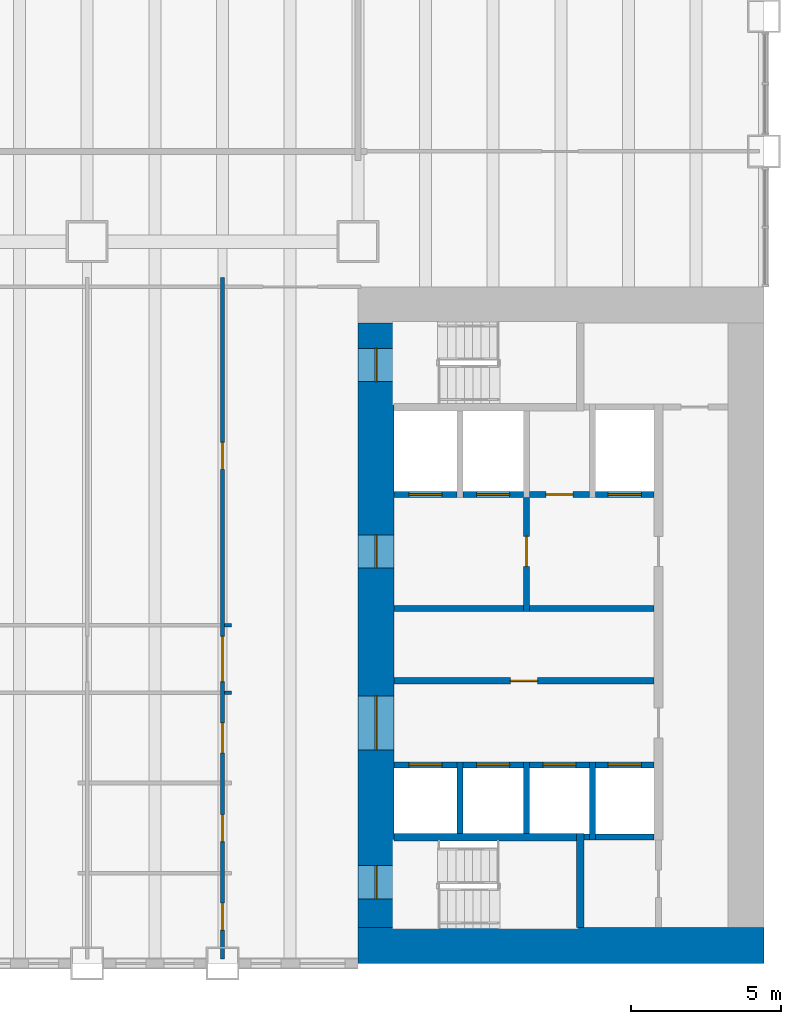
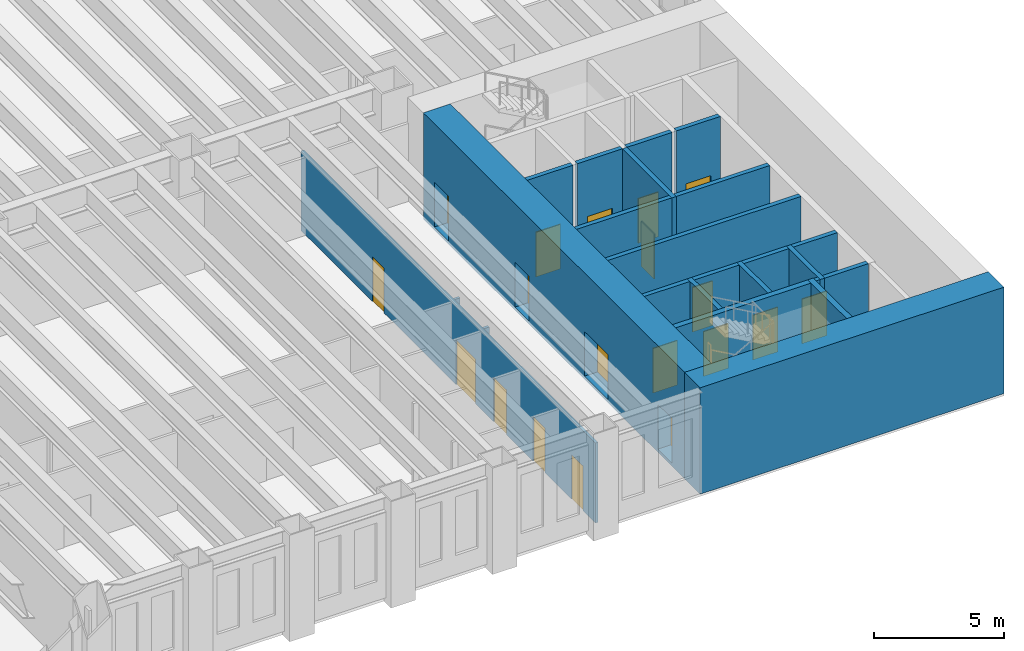
# One storey, part 10 of 19: 24 walls, 19 doors, 19 openings.
"""IFC4 building model written with IfcOpenShell, lengths in metres."""

from ifc_helpers import new_model, si_unit, direction, frame, frame_2d, origin, place, context, subcontext, project, spatial, rectangle, extrude, material, layer, layer_set, type_object, element, fill, save


model = new_model("IFC4")

# Units and contexts
model_context = context("Model", 3, precision=1e-05, world=origin(), true_north=direction((0.0, 1.0)))
body_context = subcontext(model_context, "Body", "Model", "MODEL_VIEW")
ifc_project = project(units=[si_unit("LENGTHUNIT", "METRE"), si_unit("AREAUNIT", "SQUARE_METRE"), si_unit("VOLUMEUNIT", "CUBIC_METRE"), si_unit("PLANEANGLEUNIT", "RADIAN"), si_unit("MASSUNIT", "GRAM", prefix="KILO")], contexts=[model_context])

# Site, building, storey
site_placement = place(None, origin())
site = spatial("IfcSite", under=ifc_project, at=site_placement, CompositionType="ELEMENT")
building_placement = place(site_placement, origin())
building = spatial("IfcBuilding", under=site, at=building_placement, Name="Sennacour Bend Tower", CompositionType="ELEMENT")
storey_placement = place(building_placement, frame((0.0, 0.0, 14.0)))
storey = spatial("IfcBuildingStorey", under=building, at=storey_placement, Name="L02", CompositionType="ELEMENT", Elevation=14.0)

# Wall
ifc_material_1 = material(Name="Concrete C80/95", Category="concrete")
ifc_layer_1 = layer(ifc_material_1, 1.199951171875, Name="Concrete C80/95", Category="concrete")
ifc_layer_set_1 = layer_set([ifc_layer_1], Name="Concrete C80/95")
wall_type_1 = type_object("IfcWallType", Name="Core wall 1200 C80/95", PredefinedType="SHEAR", material=ifc_layer_set_1)
wall_1_placement = place(storey_placement, frame((67.5, 0.60009765625, -0.14990234375), z_axis=(0.0, 0.0, 1.0), x_axis=(-1.0, 0.0, 0.0)))
element("IfcWall", 1, at=wall_1_placement, inside=storey, type_object=wall_type_1, Name="Core A wall L02 S", PredefinedType="SHEAR", context=body_context, shape_type="SweptSolid", body=[
    extrude(rectangle(XDim=13.5, YDim=1.199951171875, at=frame_2d((6.75, 0.0))), origin(), (0.0, 0.0, 1.0), 5.0),
])

# Wall, openings, doors
wall_2_placement = place(storey_placement, frame((54.60009765625, 1.199951171875, -0.14990234375), z_axis=(0.0, 0.0, 1.0), x_axis=(0.0, 1.0, 0.0)))
wall_2 = element("IfcWall", 2, at=wall_2_placement, inside=storey, type_object=wall_type_1, Name="Core A wall L02 W", PredefinedType="SHEAR", context=body_context, shape_type="SweptSolid", body=[
    extrude(rectangle(XDim=20.10009765625, YDim=1.199951171875, at=frame_2d((10.050048828125, 0.0))), origin(), (0.0, 0.0, 1.0), 5.0),
])
opening_1_placement = place(wall_2_placement, frame((5.89990234375, 0.0, 0.14990234375)))
opening_1 = element("IfcOpeningElement", 3, at=opening_1_placement, cuts=wall_2, Name="Opening CD", PredefinedType="OPENING", context=body_context, shape_type="SweptSolid", body=[
    extrude(rectangle(XDim=1.800048828125, YDim=2.10009765625, at=frame_2d((0.89990234375, 1.050048828125))), frame((0.0, 0.60986328125, 0.0), z_axis=(0.0, -1.0, 0.0), x_axis=(1.0, 0.0, 0.0)), (0.0, 0.0, 1.0), 1.219970703125),
])
opening_2_placement = place(wall_2_placement, frame((11.949951171875, 0.0, 0.14990234375)))
opening_2 = element("IfcOpeningElement", 4, at=opening_2_placement, cuts=wall_2, Name="Opening FD", PredefinedType="OPENING", context=body_context, shape_type="SweptSolid", body=[
    extrude(rectangle(XDim=1.10009765625, YDim=2.10009765625, at=frame_2d((0.550048828125, 1.050048828125))), frame((0.0, 0.60986328125, 0.0), z_axis=(0.0, -1.0, 0.0), x_axis=(1.0, 0.0, 0.0)), (0.0, 0.0, 1.0), 1.219970703125),
])
opening_3_placement = place(wall_2_placement, frame((0.949951171875, 0.0, 0.14990234375)))
opening_3 = element("IfcOpeningElement", 5, at=opening_3_placement, cuts=wall_2, Name="Opening SD", PredefinedType="OPENING", context=body_context, shape_type="SweptSolid", body=[
    extrude(rectangle(XDim=1.10009765625, YDim=2.10009765625, at=frame_2d((0.550048828125, 1.050048828125))), frame((0.0, 0.60986328125, 0.0), z_axis=(0.0, -1.0, 0.0), x_axis=(1.0, 0.0, 0.0)), (0.0, 0.0, 1.0), 1.219970703125),
])
opening_4_placement = place(wall_2_placement, frame((18.14990234375, 0.0, 0.14990234375)))
opening_4 = element("IfcOpeningElement", 6, at=opening_4_placement, cuts=wall_2, Name="Opening SD", PredefinedType="OPENING", context=body_context, shape_type="SweptSolid", body=[
    extrude(rectangle(XDim=1.10009765625, YDim=2.10009765625, at=frame_2d((0.550048828125, 1.050048828125))), frame((0.0, 0.60986328125, 0.0), z_axis=(0.0, -1.0, 0.0), x_axis=(1.0, 0.0, 0.0)), (0.0, 0.0, 1.0), 1.219970703125),
])
ifc_material_2 = material(Name="Painted steel", Category="steel")
door_type_1 = type_object("IfcDoorType", Name="DR-FFL-1100", OperationType="NOTDEFINED", PredefinedType="DOOR", material=ifc_material_2)
door_1_placement = place(opening_2_placement, origin())
door_1 = element("IfcDoor", 7, at=door_1_placement, inside=storey, type_object=door_type_1, Name="Door", OperationType="SINGLE_SWING_RIGHT", OverallHeight=2.10009765625, OverallWidth=1.10009765625, PredefinedType="DOOR", context=body_context, shape_type="SweptSolid", body=[
    extrude(rectangle(XDim=1.10009765625, YDim=2.10009765625, at=frame_2d((0.550048828125, 1.050048828125))), frame((0.0, 0.02490234375, 0.0), z_axis=(0.0, -1.0, 0.0), x_axis=(1.0, 0.0, 0.0)), (0.0, 0.0, 1.0), 0.050048828125),
])
fill(opening_2, door_1)
door_type_2 = type_object("IfcDoorType", Name="DR-LOBBY-1800", OperationType="NOTDEFINED", PredefinedType="DOOR", material=ifc_material_2)
door_2_placement = place(opening_1_placement, origin())
door_2 = element("IfcDoor", 8, at=door_2_placement, inside=storey, type_object=door_type_2, Name="Door", OperationType="DOUBLE_DOOR_SINGLE_SWING", OverallHeight=2.10009765625, OverallWidth=1.800048828125, PredefinedType="DOOR", context=body_context, shape_type="SweptSolid", body=[
    extrude(rectangle(XDim=1.800048828125, YDim=2.10009765625, at=frame_2d((0.89990234375, 1.050048828125))), frame((0.0, 0.02490234375, 0.0), z_axis=(0.0, -1.0, 0.0), x_axis=(1.0, 0.0, 0.0)), (0.0, 0.0, 1.0), 0.050048828125),
])
fill(opening_1, door_2)
door_type_3 = type_object("IfcDoorType", Name="DR-STAIR-1100", OperationType="NOTDEFINED", PredefinedType="DOOR", material=ifc_material_2)
door_3_placement = place(opening_3_placement, origin())
door_3 = element("IfcDoor", 9, at=door_3_placement, inside=storey, type_object=door_type_3, Name="Door", OperationType="SINGLE_SWING_LEFT", OverallHeight=2.10009765625, OverallWidth=1.10009765625, PredefinedType="DOOR", context=body_context, shape_type="SweptSolid", body=[
    extrude(rectangle(XDim=1.10009765625, YDim=2.10009765625, at=frame_2d((0.550048828125, 1.050048828125))), frame((0.0, 0.02490234375, 0.0), z_axis=(0.0, -1.0, 0.0), x_axis=(1.0, 0.0, 0.0)), (0.0, 0.0, 1.0), 0.050048828125),
])
fill(opening_3, door_3)
door_4_placement = place(opening_4_placement, origin())
door_4 = element("IfcDoor", 10, at=door_4_placement, inside=storey, type_object=door_type_3, Name="Door", OperationType="SINGLE_SWING_RIGHT", OverallHeight=2.10009765625, OverallWidth=1.10009765625, PredefinedType="DOOR", context=body_context, shape_type="SweptSolid", body=[
    extrude(rectangle(XDim=1.10009765625, YDim=2.10009765625, at=frame_2d((0.550048828125, 1.050048828125))), frame((0.0, 0.02490234375, 0.0), z_axis=(0.0, -1.0, 0.0), x_axis=(1.0, 0.0, 0.0)), (0.0, 0.0, 1.0), 0.050048828125),
])
fill(opening_4, door_4)

# Walls
ifc_material_3 = material(Name="Plasterboard partition on steel studs", Category="steel")
ifc_layer_2 = layer(ifc_material_3, 0.1201171875, Name="Plasterboard partition on steel studs", Category="steel")
ifc_layer_set_2 = layer_set([ifc_layer_2], Name="Plasterboard partition on steel studs")
wall_type_2 = type_object("IfcWallType", Name="Partition 120", PredefinedType="PARTITIONING", material=ifc_layer_set_2)
for number, where, z_axis, x_axis, name in (
    (11, (49.56005859375, 9.0, 0.0), (0.0, 0.0, 1.0), (1.0, 0.0, 0.0), "P-L02-W050ag"),
    (12, (49.56005859375, 11.25, 0.0), (0.0, 0.0, 1.0), (1.0, 0.0, 0.0), "P-L02-W052ah"),
):
    element("IfcWall", number, at=place(storey_placement, frame(where, z_axis=z_axis, x_axis=x_axis)), inside=storey, type_object=wall_type_2, Name=name, PredefinedType="PARTITIONING", context=body_context, shape_type="SweptSolid", body=[
        extrude(rectangle(XDim=0.239990234375, YDim=0.1201171875, at=frame_2d((0.1201171875, 0.0))), origin(), (0.0, 0.0, 1.0), 3.7587890625),
    ])

# Wall, openings, doors
ifc_layer_3 = layer(ifc_material_3, 0.1201171875, Name="Plasterboard partition on steel studs", Category="steel")
ifc_layer_set_3 = layer_set([ifc_layer_3], Name="Plasterboard partition on steel studs")
wall_type_3 = type_object("IfcWallType", Name="Partition 120 EI 60", PredefinedType="PARTITIONING", material=ifc_layer_set_3)
wall_3_placement = place(storey_placement, frame((49.5, 0.14990234375, 0.0), z_axis=(0.0, 0.0, 1.0), x_axis=(0.0, 1.0, 0.0)))
wall_3 = element("IfcWall", 13, at=wall_3_placement, inside=storey, type_object=wall_type_3, Name="P-L02-W027a", PredefinedType="PARTITIONING", context=body_context, shape_type="SweptSolid", body=[
    extrude(rectangle(XDim=22.650146484375, YDim=0.1201171875, at=frame_2d((11.3251953125, 0.0))), origin(), (0.0, 0.0, 1.0), 3.7587890625),
])
opening_5_placement = place(wall_3_placement, frame((0.955078125, 0.0, 0.0)))
opening_5 = element("IfcOpeningElement", 14, at=opening_5_placement, cuts=wall_3, Name="Opening WD", PredefinedType="OPENING", context=body_context, shape_type="SweptSolid", body=[
    extrude(rectangle(XDim=0.89990234375, YDim=2.10009765625, at=frame_2d((0.449951171875, 1.050048828125))), frame((0.0, 0.070068359375, 0.0), z_axis=(0.0, -1.0, 0.0), x_axis=(1.0, 0.0, 0.0)), (0.0, 0.0, 1.0), 0.14013671875),
])
opening_6_placement = place(wall_3_placement, frame((3.900146484375, 0.0, 0.0)))
opening_6 = element("IfcOpeningElement", 15, at=opening_6_placement, cuts=wall_3, Name="Opening WD", PredefinedType="OPENING", context=body_context, shape_type="SweptSolid", body=[
    extrude(rectangle(XDim=0.89990234375, YDim=2.10009765625, at=frame_2d((0.449951171875, 1.050048828125))), frame((0.0, 0.070068359375, 0.0), z_axis=(0.0, -1.0, 0.0), x_axis=(1.0, 0.0, 0.0)), (0.0, 0.0, 1.0), 0.14013671875),
])
opening_7_placement = place(wall_3_placement, frame((6.85009765625, 0.0, 0.0)))
opening_7 = element("IfcOpeningElement", 16, at=opening_7_placement, cuts=wall_3, Name="Opening AD", PredefinedType="OPENING", context=body_context, shape_type="SweptSolid", body=[
    extrude(rectangle(XDim=1.0, YDim=2.10009765625, at=frame_2d((0.5, 1.050048828125))), frame((0.0, 0.070068359375, 0.0), z_axis=(0.0, -1.0, 0.0), x_axis=(1.0, 0.0, 0.0)), (0.0, 0.0, 1.0), 0.14013671875),
])
opening_8_placement = place(wall_3_placement, frame((16.275146484375, 0.0, 0.0)))
opening_8 = element("IfcOpeningElement", 17, at=opening_8_placement, cuts=wall_3, Name="Opening SV", PredefinedType="OPENING", context=body_context, shape_type="SweptSolid", body=[
    extrude(rectangle(XDim=0.89990234375, YDim=2.10009765625, at=frame_2d((0.449951171875, 1.050048828125))), frame((0.0, 0.070068359375, 0.0), z_axis=(0.0, -1.0, 0.0), x_axis=(1.0, 0.0, 0.0)), (0.0, 0.0, 1.0), 0.14013671875),
])
opening_9_placement = place(wall_3_placement, frame((9.22509765625, 0.0, 0.0)))
opening_9 = element("IfcOpeningElement", 18, at=opening_9_placement, cuts=wall_3, Name="Opening KD", PredefinedType="OPENING", context=body_context, shape_type="SweptSolid", body=[
    extrude(rectangle(XDim=1.5, YDim=2.10009765625, at=frame_2d((0.75, 1.050048828125))), frame((0.0, 0.070068359375, 0.0), z_axis=(0.0, -1.0, 0.0), x_axis=(1.0, 0.0, 0.0)), (0.0, 0.0, 1.0), 0.14013671875),
])
ifc_material_4 = material(Name="Timber", Category="wood")
door_type_4 = type_object("IfcDoorType", Name="DR-ACC-WC-1000", OperationType="NOTDEFINED", PredefinedType="DOOR", material=ifc_material_4)
door_5_placement = place(opening_7_placement, origin())
door_5 = element("IfcDoor", 19, at=door_5_placement, inside=storey, type_object=door_type_4, Name="Door", OperationType="SINGLE_SWING_LEFT", OverallHeight=2.10009765625, OverallWidth=1.0, PredefinedType="DOOR", context=body_context, shape_type="SweptSolid", body=[
    extrude(rectangle(XDim=1.0, YDim=2.10009765625, at=frame_2d((0.5, 1.050048828125))), frame((0.0, 0.02490234375, 0.0), z_axis=(0.0, -1.0, 0.0), x_axis=(1.0, 0.0, 0.0)), (0.0, 0.0, 1.0), 0.050048828125),
])
fill(opening_7, door_5)
door_type_5 = type_object("IfcDoorType", Name="DR-CORRIDOR-1500", OperationType="NOTDEFINED", PredefinedType="DOOR", material=ifc_material_2)
door_6_placement = place(opening_9_placement, origin())
door_6 = element("IfcDoor", 20, at=door_6_placement, inside=storey, type_object=door_type_5, Name="Door", OperationType="SINGLE_SWING_LEFT", OverallHeight=2.10009765625, OverallWidth=1.5, PredefinedType="DOOR", context=body_context, shape_type="SweptSolid", body=[
    extrude(rectangle(XDim=1.5, YDim=2.10009765625, at=frame_2d((0.75, 1.050048828125))), frame((0.0, 0.02490234375, 0.0), z_axis=(0.0, -1.0, 0.0), x_axis=(1.0, 0.0, 0.0)), (0.0, 0.0, 1.0), 0.050048828125),
])
fill(opening_9, door_6)
door_type_6 = type_object("IfcDoorType", Name="DR-SERVICE-900", OperationType="NOTDEFINED", PredefinedType="DOOR", material=ifc_material_2)
door_7_placement = place(opening_8_placement, origin())
door_7 = element("IfcDoor", 21, at=door_7_placement, inside=storey, type_object=door_type_6, Name="Door", OperationType="SINGLE_SWING_RIGHT", OverallHeight=2.10009765625, OverallWidth=0.89990234375, PredefinedType="DOOR", context=body_context, shape_type="SweptSolid", body=[
    extrude(rectangle(XDim=0.89990234375, YDim=2.10009765625, at=frame_2d((0.449951171875, 1.050048828125))), frame((0.0, 0.02490234375, 0.0), z_axis=(0.0, -1.0, 0.0), x_axis=(1.0, 0.0, 0.0)), (0.0, 0.0, 1.0), 0.050048828125),
])
fill(opening_8, door_7)
door_type_7 = type_object("IfcDoorType", Name="DR-WC-900", OperationType="NOTDEFINED", PredefinedType="DOOR", material=ifc_material_4)
door_8_placement = place(opening_5_placement, origin())
door_8 = element("IfcDoor", 22, at=door_8_placement, inside=storey, type_object=door_type_7, Name="Door", OperationType="SINGLE_SWING_LEFT", OverallHeight=2.10009765625, OverallWidth=0.89990234375, PredefinedType="DOOR", context=body_context, shape_type="SweptSolid", body=[
    extrude(rectangle(XDim=0.89990234375, YDim=2.10009765625, at=frame_2d((0.449951171875, 1.050048828125))), frame((0.0, 0.02490234375, 0.0), z_axis=(0.0, -1.0, 0.0), x_axis=(1.0, 0.0, 0.0)), (0.0, 0.0, 1.0), 0.050048828125),
])
fill(opening_5, door_8)
door_9_placement = place(opening_6_placement, origin())
door_9 = element("IfcDoor", 23, at=door_9_placement, inside=storey, type_object=door_type_7, Name="Door", OperationType="SINGLE_SWING_LEFT", OverallHeight=2.10009765625, OverallWidth=0.89990234375, PredefinedType="DOOR", context=body_context, shape_type="SweptSolid", body=[
    extrude(rectangle(XDim=0.89990234375, YDim=2.10009765625, at=frame_2d((0.449951171875, 1.050048828125))), frame((0.0, 0.02490234375, 0.0), z_axis=(0.0, -1.0, 0.0), x_axis=(1.0, 0.0, 0.0)), (0.0, 0.0, 1.0), 0.050048828125),
])
fill(opening_6, door_9)

# Wall, opening, door
ifc_material_5 = material(Name="Fire-rated plasterboard partition on steel studs", Category="steel")
ifc_layer_4 = layer(ifc_material_5, 0.199951171875, Name="Fire-rated plasterboard partition on steel studs", Category="steel")
ifc_layer_set_4 = layer_set([ifc_layer_4], Name="Fire-rated plasterboard partition on steel studs")
wall_type_4 = type_object("IfcWallType", Name="Rated partition 200", PredefinedType="PARTITIONING", material=ifc_layer_set_4)
wall_4_placement = place(storey_placement, frame((55.199951171875, 9.39990234375, 0.0), z_axis=(0.0, 0.0, 1.0), x_axis=(1.0, 0.0, 0.0)))
wall_4 = element("IfcWall", 24, at=wall_4_placement, inside=storey, type_object=wall_type_4, Name="P-L02-W051", PredefinedType="PARTITIONING", context=body_context, shape_type="SweptSolid", body=[
    extrude(rectangle(XDim=8.650146484375, YDim=0.199951171875, at=frame_2d((4.3251953125, 0.0))), origin(), (0.0, 0.0, 1.0), 4.75),
])
opening_10_placement = place(wall_4_placement, frame((3.875, 0.0, 0.0)))
opening_10 = element("IfcOpeningElement", 25, at=opening_10_placement, cuts=wall_4, Name="Opening SV", PredefinedType="OPENING", context=body_context, shape_type="SweptSolid", body=[
    extrude(rectangle(XDim=0.89990234375, YDim=2.10009765625, at=frame_2d((0.449951171875, 1.050048828125))), frame((0.0, 0.10986328125, 0.0), z_axis=(0.0, -1.0, 0.0), x_axis=(1.0, 0.0, 0.0)), (0.0, 0.0, 1.0), 0.219970703125),
])
door_10_placement = place(opening_10_placement, origin())
door_10 = element("IfcDoor", 26, at=door_10_placement, inside=storey, type_object=door_type_6, Name="Door", OperationType="SINGLE_SWING_LEFT", OverallHeight=2.10009765625, OverallWidth=0.89990234375, PredefinedType="DOOR", context=body_context, shape_type="SweptSolid", body=[
    extrude(rectangle(XDim=0.89990234375, YDim=2.10009765625, at=frame_2d((0.449951171875, 1.050048828125))), frame((0.0, 0.02490234375, 0.0), z_axis=(0.0, -1.0, 0.0), x_axis=(1.0, 0.0, 0.0)), (0.0, 0.0, 1.0), 0.050048828125),
])
fill(opening_10, door_10)

# Walls
wall_5_placement = place(storey_placement, frame((55.199951171875, 11.800048828125, 0.0), z_axis=(0.0, 0.0, 1.0), x_axis=(1.0, 0.0, 0.0)))
element("IfcWall", 27, at=wall_5_placement, inside=storey, type_object=wall_type_4, Name="P-L02-W053a", PredefinedType="PARTITIONING", context=body_context, shape_type="SweptSolid", body=[
    extrude(rectangle(XDim=4.300048828125, YDim=0.199951171875, at=frame_2d((2.14990234375, 0.0))), origin(), (0.0, 0.0, 1.0), 4.75),
])
wall_6_placement = place(storey_placement, frame((59.699951171875, 11.800048828125, 0.0), z_axis=(0.0, 0.0, 1.0), x_axis=(1.0, 0.0, 0.0)))
element("IfcWall", 28, at=wall_6_placement, inside=storey, type_object=wall_type_4, Name="P-L02-W053b", PredefinedType="PARTITIONING", context=body_context, shape_type="SweptSolid", body=[
    extrude(rectangle(XDim=4.150146484375, YDim=0.199951171875, at=frame_2d((2.0751953125, 0.0))), origin(), (0.0, 0.0, 1.0), 4.75),
])

# Wall, opening, door
wall_7_placement = place(storey_placement, frame((59.699951171875, 15.60009765625, 0.0), z_axis=(0.0, 0.0, 1.0), x_axis=(1.0, 0.0, 0.0)))
wall_7 = element("IfcWall", 29, at=wall_7_placement, inside=storey, type_object=wall_type_4, Name="P-L02-W055", PredefinedType="PARTITIONING", context=body_context, shape_type="SweptSolid", body=[
    extrude(rectangle(XDim=2.0, YDim=0.199951171875, at=frame_2d((1.0, 0.0))), origin(), (0.0, 0.0, 1.0), 4.75),
])
opening_11_placement = place(wall_7_placement, frame((0.550048828125, 0.0, 0.0)))
opening_11 = element("IfcOpeningElement", 30, at=opening_11_placement, cuts=wall_7, Name="Opening SV", PredefinedType="OPENING", context=body_context, shape_type="SweptSolid", body=[
    extrude(rectangle(XDim=0.89990234375, YDim=2.10009765625, at=frame_2d((0.449951171875, 1.050048828125))), frame((0.0, 0.10986328125, 0.0), z_axis=(0.0, -1.0, 0.0), x_axis=(1.0, 0.0, 0.0)), (0.0, 0.0, 1.0), 0.219970703125),
])
door_11_placement = place(opening_11_placement, origin())
door_11 = element("IfcDoor", 31, at=door_11_placement, inside=storey, type_object=door_type_6, Name="Door", OperationType="SINGLE_SWING_RIGHT", OverallHeight=2.10009765625, OverallWidth=0.89990234375, PredefinedType="DOOR", context=body_context, shape_type="SweptSolid", body=[
    extrude(rectangle(XDim=0.89990234375, YDim=2.10009765625, at=frame_2d((0.449951171875, 1.050048828125))), frame((0.0, 0.02490234375, 0.0), z_axis=(0.0, -1.0, 0.0), x_axis=(1.0, 0.0, 0.0)), (0.0, 0.0, 1.0), 0.050048828125),
])
fill(opening_11, door_11)

ifc_layer_5 = layer(ifc_material_5, 0.199951171875, Name="Fire-rated plasterboard partition on steel studs", Category="steel")
ifc_layer_set_5 = layer_set([ifc_layer_5], Name="Fire-rated plasterboard partition on steel studs")
wall_type_5 = type_object("IfcWallType", Name="Rated partition 200 EI 90", PredefinedType="PARTITIONING", material=ifc_layer_set_5)
wall_8_placement = place(storey_placement, frame((59.60009765625, 11.699951171875, 0.0), z_axis=(0.0, 0.0, 1.0), x_axis=(0.0, 1.0, 0.0)))
wall_8 = element("IfcWall", 32, at=wall_8_placement, inside=storey, type_object=wall_type_5, Name="P-L02-W032", PredefinedType="PARTITIONING", context=body_context, shape_type="SweptSolid", body=[
    extrude(rectangle(XDim=3.800048828125, YDim=0.199951171875, at=frame_2d((1.89990234375, 0.0))), origin(), (0.0, 0.0, 1.0), 4.75),
])
opening_12_placement = place(wall_8_placement, frame((1.5, 0.0, 0.0)))
opening_12 = element("IfcOpeningElement", 33, at=opening_12_placement, cuts=wall_8, Name="Opening FD2", PredefinedType="OPENING", context=body_context, shape_type="SweptSolid", body=[
    extrude(rectangle(XDim=1.0, YDim=2.10009765625, at=frame_2d((0.5, 1.050048828125))), frame((0.0, 0.10986328125, 0.0), z_axis=(0.0, -1.0, 0.0), x_axis=(1.0, 0.0, 0.0)), (0.0, 0.0, 1.0), 0.219970703125),
])
door_type_8 = type_object("IfcDoorType", Name="DR-FFL-1000", OperationType="NOTDEFINED", PredefinedType="DOOR", material=ifc_material_2)
door_12_placement = place(opening_12_placement, origin())
door_12 = element("IfcDoor", 34, at=door_12_placement, inside=storey, type_object=door_type_8, Name="Door", OperationType="SINGLE_SWING_RIGHT", OverallHeight=2.10009765625, OverallWidth=1.0, PredefinedType="DOOR", context=body_context, shape_type="SweptSolid", body=[
    extrude(rectangle(XDim=1.0, YDim=2.10009765625, at=frame_2d((0.5, 1.050048828125))), frame((0.0, 0.02490234375, 0.0), z_axis=(0.0, -1.0, 0.0), x_axis=(1.0, 0.0, 0.0)), (0.0, 0.0, 1.0), 0.050048828125),
])
fill(opening_12, door_12)

# Walls
ifc_material_6 = material(Name="Concrete C50/60", Category="concrete")
ifc_layer_6 = layer(ifc_material_6, 0.199951171875, Name="Concrete C50/60", Category="concrete")
ifc_layer_set_6 = layer_set([ifc_layer_6], Name="Concrete C50/60")
wall_type_6 = type_object("IfcWallType", Name="Shaft wall 200", PredefinedType="SOLIDWALL", material=ifc_layer_set_6)
for number, where, z_axis, x_axis, name in (
    (35, (57.39990234375, 4.324951171875, 0.0), (0.0, 0.0, 1.0), (0.0, 1.0, 0.0), "P-L02-W029"),
    (36, (59.60009765625, 4.324951171875, 0.0), (0.0, 0.0, 1.0), (0.0, 1.0, 0.0), "P-L02-W031"),
):
    element("IfcWall", number, at=place(storey_placement, frame(where, z_axis=z_axis, x_axis=x_axis)), inside=storey, type_object=wall_type_6, Name=name, PredefinedType="SOLIDWALL", context=body_context, shape_type="SweptSolid", body=[
        extrude(rectangle(XDim=2.375, YDim=0.199951171875, at=frame_2d((1.1875, 0.0))), origin(), (0.0, 0.0, 1.0), 4.75),
    ])
wall_9_placement = place(storey_placement, frame((61.800048828125, 4.10009765625, 0.0), z_axis=(0.0, 0.0, 1.0), x_axis=(0.0, 1.0, 0.0)))
element("IfcWall", 37, at=wall_9_placement, inside=storey, type_object=wall_type_6, Name="P-L02-W036", PredefinedType="SOLIDWALL", context=body_context, shape_type="SweptSolid", body=[
    extrude(rectangle(XDim=2.599853515625, YDim=0.199951171875, at=frame_2d((1.2998046875, 0.0))), origin(), (0.0, 0.0, 1.0), 4.75),
])
wall_10_placement = place(storey_placement, frame((61.52490234375, 4.199951171875, 0.0), z_axis=(0.0, 0.0, 1.0), x_axis=(1.0, 0.0, 0.0)))
element("IfcWall", 38, at=wall_10_placement, inside=storey, type_object=wall_type_6, Name="P-L02-W047a", PredefinedType="SOLIDWALL", context=body_context, shape_type="SweptSolid", body=[
    extrude(rectangle(XDim=0.175048828125, YDim=0.199951171875, at=frame_2d((0.08740234375, 0.0))), origin(), (0.0, 0.0, 1.0), 4.75),
])
wall_11_placement = place(storey_placement, frame((61.89990234375, 4.199951171875, 0.0), z_axis=(0.0, 0.0, 1.0), x_axis=(1.0, 0.0, 0.0)))
element("IfcWall", 39, at=wall_11_placement, inside=storey, type_object=wall_type_6, Name="P-L02-W047b", PredefinedType="SOLIDWALL", context=body_context, shape_type="SweptSolid", body=[
    extrude(rectangle(XDim=1.9501953125, YDim=0.199951171875, at=frame_2d((0.97509765625, 0.0))), origin(), (0.0, 0.0, 1.0), 4.75),
])

# Wall, opening, door
wall_12_placement = place(storey_placement, frame((55.199951171875, 6.60009765625, 0.0), z_axis=(0.0, 0.0, 1.0), x_axis=(1.0, 0.0, 0.0)))
wall_12 = element("IfcWall", 40, at=wall_12_placement, inside=storey, type_object=wall_type_6, Name="P-L02-W049a", PredefinedType="SOLIDWALL", context=body_context, shape_type="SweptSolid", body=[
    extrude(rectangle(XDim=2.10009765625, YDim=0.199951171875, at=frame_2d((1.050048828125, 0.0))), origin(), (0.0, 0.0, 1.0), 4.75),
])
opening_13_placement = place(wall_12_placement, frame((0.5, 0.0, 0.011962890625)))
opening_13 = element("IfcOpeningElement", 41, at=opening_13_placement, cuts=wall_12, Name="Opening LD", PredefinedType="OPENING", context=body_context, shape_type="SweptSolid", body=[
    extrude(rectangle(XDim=1.10009765625, YDim=2.10009765625, at=frame_2d((0.550048828125, 1.050048828125))), frame((0.0, 0.10986328125, 0.0), z_axis=(0.0, -1.0, 0.0), x_axis=(1.0, 0.0, 0.0)), (0.0, 0.0, 1.0), 0.219970703125),
])
ifc_material_7 = material(Name="Stainless steel", Category="steel")
door_type_9 = type_object("IfcDoorType", Name="DR-LANDING-1100", OperationType="NOTDEFINED", PredefinedType="DOOR", material=ifc_material_7)
door_13_placement = place(opening_13_placement, origin())
door_13 = element("IfcDoor", 42, at=door_13_placement, inside=storey, type_object=door_type_9, Name="Lift landing door LA1", OperationType="SLIDING_TO_LEFT", OverallHeight=2.10009765625, OverallWidth=1.10009765625, PredefinedType="DOOR", context=body_context, shape_type="SweptSolid", body=[
    extrude(rectangle(XDim=1.10009765625, YDim=2.10009765625, at=frame_2d((0.550048828125, 1.050048828125))), frame((0.0, 0.02490234375, 0.0), z_axis=(0.0, -1.0, 0.0), x_axis=(1.0, 0.0, 0.0)), (0.0, 0.0, 1.0), 0.050048828125),
])
fill(opening_13, door_13)

wall_13_placement = place(storey_placement, frame((57.5, 6.60009765625, 0.0), z_axis=(0.0, 0.0, 1.0), x_axis=(1.0, 0.0, 0.0)))
wall_13 = element("IfcWall", 43, at=wall_13_placement, inside=storey, type_object=wall_type_6, Name="P-L02-W049b", PredefinedType="SOLIDWALL", context=body_context, shape_type="SweptSolid", body=[
    extrude(rectangle(XDim=2.0, YDim=0.199951171875, at=frame_2d((1.0, 0.0))), origin(), (0.0, 0.0, 1.0), 4.75),
])
opening_14_placement = place(wall_13_placement, frame((0.449951171875, 0.0, 0.011962890625)))
opening_14 = element("IfcOpeningElement", 44, at=opening_14_placement, cuts=wall_13, Name="Opening LD", PredefinedType="OPENING", context=body_context, shape_type="SweptSolid", body=[
    extrude(rectangle(XDim=1.10009765625, YDim=2.10009765625, at=frame_2d((0.550048828125, 1.050048828125))), frame((0.0, 0.10986328125, 0.0), z_axis=(0.0, -1.0, 0.0), x_axis=(1.0, 0.0, 0.0)), (0.0, 0.0, 1.0), 0.219970703125),
])
door_14_placement = place(opening_14_placement, origin())
door_14 = element("IfcDoor", 45, at=door_14_placement, inside=storey, type_object=door_type_9, Name="Lift landing door LA2", OperationType="SLIDING_TO_RIGHT", OverallHeight=2.10009765625, OverallWidth=1.10009765625, PredefinedType="DOOR", context=body_context, shape_type="SweptSolid", body=[
    extrude(rectangle(XDim=1.10009765625, YDim=2.10009765625, at=frame_2d((0.550048828125, 1.050048828125))), frame((0.0, 0.02490234375, 0.0), z_axis=(0.0, -1.0, 0.0), x_axis=(1.0, 0.0, 0.0)), (0.0, 0.0, 1.0), 0.050048828125),
])
fill(opening_14, door_14)

wall_14_placement = place(storey_placement, frame((59.699951171875, 6.60009765625, 0.0), z_axis=(0.0, 0.0, 1.0), x_axis=(1.0, 0.0, 0.0)))
wall_14 = element("IfcWall", 46, at=wall_14_placement, inside=storey, type_object=wall_type_6, Name="P-L02-W049c", PredefinedType="SOLIDWALL", context=body_context, shape_type="SweptSolid", body=[
    extrude(rectangle(XDim=2.0, YDim=0.199951171875, at=frame_2d((1.0, 0.0))), origin(), (0.0, 0.0, 1.0), 4.75),
])
opening_15_placement = place(wall_14_placement, frame((0.449951171875, 0.0, 0.011962890625)))
opening_15 = element("IfcOpeningElement", 47, at=opening_15_placement, cuts=wall_14, Name="Opening LD", PredefinedType="OPENING", context=body_context, shape_type="SweptSolid", body=[
    extrude(rectangle(XDim=1.10009765625, YDim=2.10009765625, at=frame_2d((0.550048828125, 1.050048828125))), frame((0.0, 0.10986328125, 0.0), z_axis=(0.0, -1.0, 0.0), x_axis=(1.0, 0.0, 0.0)), (0.0, 0.0, 1.0), 0.219970703125),
])
door_15_placement = place(opening_15_placement, origin())
door_15 = element("IfcDoor", 48, at=door_15_placement, inside=storey, type_object=door_type_9, Name="Lift landing door LA3", OperationType="SLIDING_TO_LEFT", OverallHeight=2.10009765625, OverallWidth=1.10009765625, PredefinedType="DOOR", context=body_context, shape_type="SweptSolid", body=[
    extrude(rectangle(XDim=1.10009765625, YDim=2.10009765625, at=frame_2d((0.550048828125, 1.050048828125))), frame((0.0, 0.02490234375, 0.0), z_axis=(0.0, -1.0, 0.0), x_axis=(1.0, 0.0, 0.0)), (0.0, 0.0, 1.0), 0.050048828125),
])
fill(opening_15, door_15)

wall_15_placement = place(storey_placement, frame((61.89990234375, 6.60009765625, 0.0), z_axis=(0.0, 0.0, 1.0), x_axis=(1.0, 0.0, 0.0)))
wall_15 = element("IfcWall", 49, at=wall_15_placement, inside=storey, type_object=wall_type_6, Name="P-L02-W049d", PredefinedType="SOLIDWALL", context=body_context, shape_type="SweptSolid", body=[
    extrude(rectangle(XDim=1.9501953125, YDim=0.199951171875, at=frame_2d((0.97509765625, 0.0))), origin(), (0.0, 0.0, 1.0), 4.75),
])
opening_16_placement = place(wall_15_placement, frame((0.425048828125, 0.0, 0.011962890625)))
opening_16 = element("IfcOpeningElement", 50, at=opening_16_placement, cuts=wall_15, Name="Opening LD", PredefinedType="OPENING", context=body_context, shape_type="SweptSolid", body=[
    extrude(rectangle(XDim=1.10009765625, YDim=2.10009765625, at=frame_2d((0.550048828125, 1.050048828125))), frame((0.0, 0.10986328125, 0.0), z_axis=(0.0, -1.0, 0.0), x_axis=(1.0, 0.0, 0.0)), (0.0, 0.0, 1.0), 0.219970703125),
])
door_16_placement = place(opening_16_placement, origin())
door_16 = element("IfcDoor", 51, at=door_16_placement, inside=storey, type_object=door_type_9, Name="Lift landing door LA4", OperationType="SLIDING_TO_RIGHT", OverallHeight=2.10009765625, OverallWidth=1.10009765625, PredefinedType="DOOR", context=body_context, shape_type="SweptSolid", body=[
    extrude(rectangle(XDim=1.10009765625, YDim=2.10009765625, at=frame_2d((0.550048828125, 1.050048828125))), frame((0.0, 0.02490234375, 0.0), z_axis=(0.0, -1.0, 0.0), x_axis=(1.0, 0.0, 0.0)), (0.0, 0.0, 1.0), 0.050048828125),
])
fill(opening_16, door_16)

wall_16_placement = place(storey_placement, frame((55.199951171875, 15.60009765625, 0.0), z_axis=(0.0, 0.0, 1.0), x_axis=(1.0, 0.0, 0.0)))
wall_16 = element("IfcWall", 52, at=wall_16_placement, inside=storey, type_object=wall_type_6, Name="P-L02-W054a", PredefinedType="SOLIDWALL", context=body_context, shape_type="SweptSolid", body=[
    extrude(rectangle(XDim=2.10009765625, YDim=0.199951171875, at=frame_2d((1.050048828125, 0.0))), origin(), (0.0, 0.0, 1.0), 4.75),
])
opening_17_placement = place(wall_16_placement, frame((0.5, 0.0, 0.011962890625)))
opening_17 = element("IfcOpeningElement", 53, at=opening_17_placement, cuts=wall_16, Name="Opening FLD", PredefinedType="OPENING", context=body_context, shape_type="SweptSolid", body=[
    extrude(rectangle(XDim=1.10009765625, YDim=2.10009765625, at=frame_2d((0.550048828125, 1.050048828125))), frame((0.0, 0.10986328125, 0.0), z_axis=(0.0, -1.0, 0.0), x_axis=(1.0, 0.0, 0.0)), (0.0, 0.0, 1.0), 0.219970703125),
])
door_type_10 = type_object("IfcDoorType", Name="DR-FF-LANDING-1100", OperationType="NOTDEFINED", PredefinedType="DOOR", material=ifc_material_7)
door_17_placement = place(opening_17_placement, origin())
door_17 = element("IfcDoor", 54, at=door_17_placement, inside=storey, type_object=door_type_10, Name="Fire service lift landing door FA1", OperationType="SLIDING_TO_LEFT", OverallHeight=2.10009765625, OverallWidth=1.10009765625, PredefinedType="DOOR", context=body_context, shape_type="SweptSolid", body=[
    extrude(rectangle(XDim=1.10009765625, YDim=2.10009765625, at=frame_2d((0.550048828125, 1.050048828125))), frame((0.0, 0.02490234375, 0.0), z_axis=(0.0, -1.0, 0.0), x_axis=(1.0, 0.0, 0.0)), (0.0, 0.0, 1.0), 0.050048828125),
])
fill(opening_17, door_17)

wall_17_placement = place(storey_placement, frame((57.5, 15.60009765625, 0.0), z_axis=(0.0, 0.0, 1.0), x_axis=(1.0, 0.0, 0.0)))
wall_17 = element("IfcWall", 55, at=wall_17_placement, inside=storey, type_object=wall_type_6, Name="P-L02-W054b", PredefinedType="SOLIDWALL", context=body_context, shape_type="SweptSolid", body=[
    extrude(rectangle(XDim=2.0, YDim=0.199951171875, at=frame_2d((1.0, 0.0))), origin(), (0.0, 0.0, 1.0), 4.75),
])
opening_18_placement = place(wall_17_placement, frame((0.449951171875, 0.0, 0.011962890625)))
opening_18 = element("IfcOpeningElement", 56, at=opening_18_placement, cuts=wall_17, Name="Opening FLD", PredefinedType="OPENING", context=body_context, shape_type="SweptSolid", body=[
    extrude(rectangle(XDim=1.10009765625, YDim=2.10009765625, at=frame_2d((0.550048828125, 1.050048828125))), frame((0.0, 0.10986328125, 0.0), z_axis=(0.0, -1.0, 0.0), x_axis=(1.0, 0.0, 0.0)), (0.0, 0.0, 1.0), 0.219970703125),
])
door_18_placement = place(opening_18_placement, origin())
door_18 = element("IfcDoor", 57, at=door_18_placement, inside=storey, type_object=door_type_10, Name="Fire service lift landing door FA2", OperationType="SLIDING_TO_RIGHT", OverallHeight=2.10009765625, OverallWidth=1.10009765625, PredefinedType="DOOR", context=body_context, shape_type="SweptSolid", body=[
    extrude(rectangle(XDim=1.10009765625, YDim=2.10009765625, at=frame_2d((0.550048828125, 1.050048828125))), frame((0.0, 0.02490234375, 0.0), z_axis=(0.0, -1.0, 0.0), x_axis=(1.0, 0.0, 0.0)), (0.0, 0.0, 1.0), 0.050048828125),
])
fill(opening_18, door_18)

wall_18_placement = place(storey_placement, frame((61.89990234375, 15.60009765625, 0.0), z_axis=(0.0, 0.0, 1.0), x_axis=(1.0, 0.0, 0.0)))
wall_18 = element("IfcWall", 58, at=wall_18_placement, inside=storey, type_object=wall_type_6, Name="P-L02-W056", PredefinedType="SOLIDWALL", context=body_context, shape_type="SweptSolid", body=[
    extrude(rectangle(XDim=1.9501953125, YDim=0.199951171875, at=frame_2d((0.97509765625, 0.0))), origin(), (0.0, 0.0, 1.0), 4.75),
])
opening_19_placement = place(wall_18_placement, frame((0.425048828125, 0.0, 0.011962890625)))
opening_19 = element("IfcOpeningElement", 59, at=opening_19_placement, cuts=wall_18, Name="Opening LD", PredefinedType="OPENING", context=body_context, shape_type="SweptSolid", body=[
    extrude(rectangle(XDim=1.10009765625, YDim=2.10009765625, at=frame_2d((0.550048828125, 1.050048828125))), frame((0.0, 0.10986328125, 0.0), z_axis=(0.0, -1.0, 0.0), x_axis=(1.0, 0.0, 0.0)), (0.0, 0.0, 1.0), 0.219970703125),
])
door_19_placement = place(opening_19_placement, origin())
door_19 = element("IfcDoor", 60, at=door_19_placement, inside=storey, type_object=door_type_9, Name="Lift landing door LA5", OperationType="SLIDING_TO_LEFT", OverallHeight=2.10009765625, OverallWidth=1.10009765625, PredefinedType="DOOR", context=body_context, shape_type="SweptSolid", body=[
    extrude(rectangle(XDim=1.10009765625, YDim=2.10009765625, at=frame_2d((0.550048828125, 1.050048828125))), frame((0.0, 0.02490234375, 0.0), z_axis=(0.0, -1.0, 0.0), x_axis=(1.0, 0.0, 0.0)), (0.0, 0.0, 1.0), 0.050048828125),
])
fill(opening_19, door_19)

# Walls
ifc_material_8 = material(Name="Concrete C60/75", Category="concrete")
ifc_layer_7 = layer(ifc_material_8, 0.25, Name="Concrete C60/75", Category="concrete")
ifc_layer_set_7 = layer_set([ifc_layer_7], Name="Concrete C60/75")
wall_type_7 = type_object("IfcWallType", Name="Stair wall 250", PredefinedType="SHEAR", material=ifc_layer_set_7)
wall_19_placement = place(storey_placement, frame((61.39990234375, 1.199951171875, 0.0), z_axis=(0.0, 0.0, 1.0), x_axis=(0.0, 1.0, 0.0)))
element("IfcWall", 61, at=wall_19_placement, inside=storey, type_object=wall_type_7, Name="P-L02-W034", PredefinedType="SHEAR", context=body_context, shape_type="SweptSolid", body=[
    extrude(rectangle(XDim=3.125, YDim=0.25, at=frame_2d((1.5625, 0.0))), origin(), (0.0, 0.0, 1.0), 4.75),
])
wall_20_placement = place(storey_placement, frame((55.199951171875, 4.199951171875, 0.0), z_axis=(0.0, 0.0, 1.0), x_axis=(1.0, 0.0, 0.0)))
element("IfcWall", 62, at=wall_20_placement, inside=storey, type_object=wall_type_7, Name="P-L02-W046", PredefinedType="SHEAR", context=body_context, shape_type="SweptSolid", body=[
    extrude(rectangle(XDim=6.074951171875, YDim=0.25, at=frame_2d((3.03759765625, 0.0))), origin(), (0.0, 0.0, 1.0), 4.75),
])

save(model, "model.ifc")
